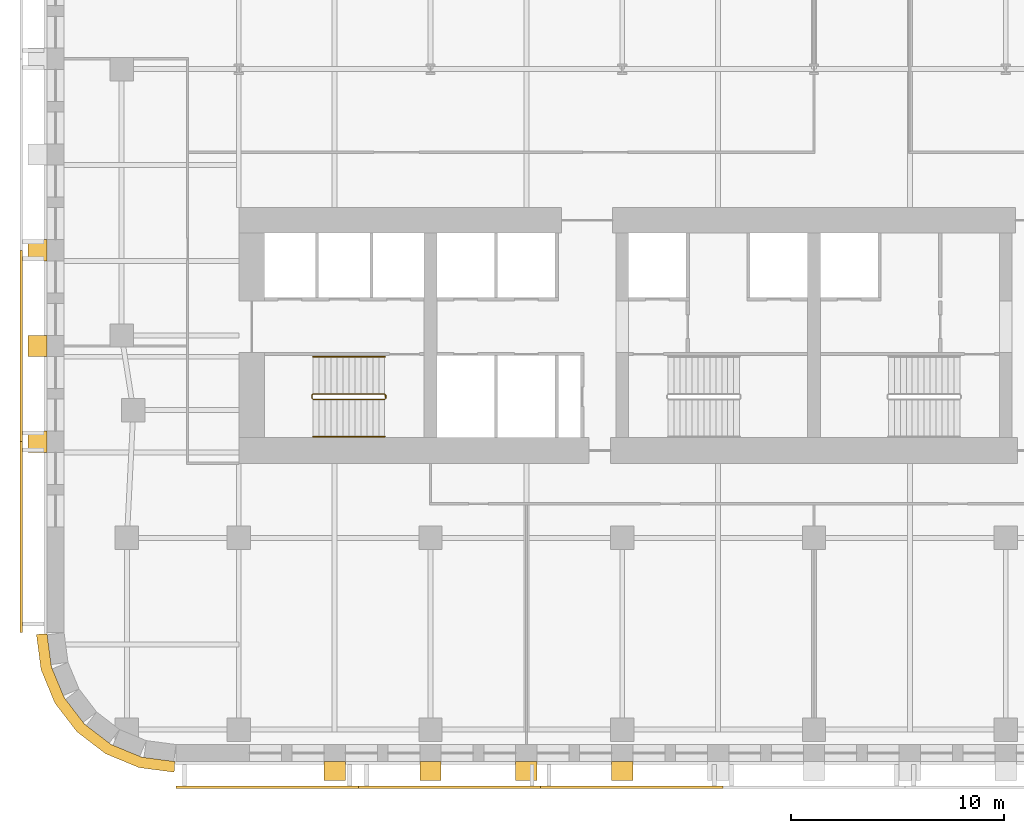
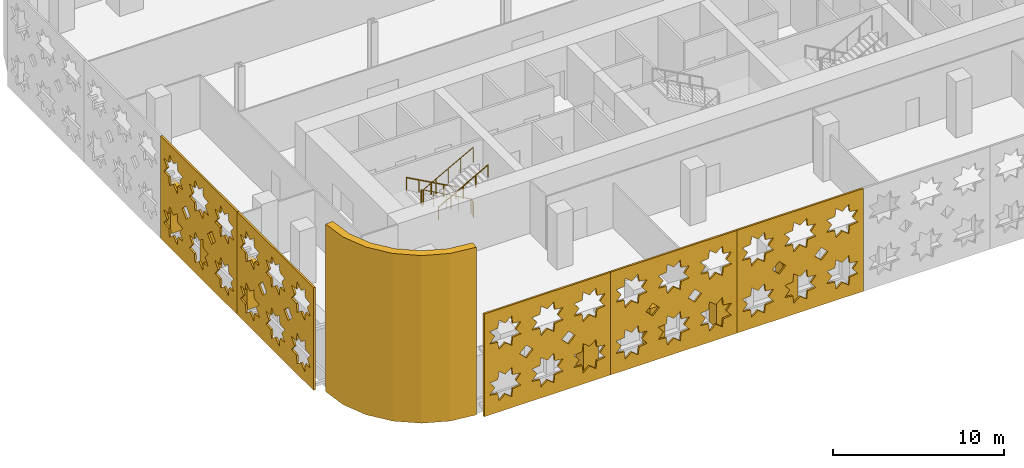
# One storey, part 11 of 15: 13 coverings, 3 railings.
"""IFC4 building model written with IfcOpenShell, lengths in metres."""

from ifc_helpers import new_model, si_unit, direction, frame, origin, origin_2d, place, context, subcontext, project, spatial, polyline, circle, outline, extrude, material, layer, layer_set, type_object, element, save


model = new_model("IFC4")

# Units and contexts
model_context = context("Model", 3, precision=1e-05, world=origin(), true_north=direction((0.0, 1.0)))
body_context = subcontext(model_context, "Body", "Model", "MODEL_VIEW")
ifc_project = project(units=[si_unit("LENGTHUNIT", "METRE"), si_unit("AREAUNIT", "SQUARE_METRE"), si_unit("VOLUMEUNIT", "CUBIC_METRE"), si_unit("PLANEANGLEUNIT", "RADIAN"), si_unit("MASSUNIT", "GRAM", prefix="KILO")], contexts=[model_context])

# Site, building, storey
site_placement = place(None, origin())
site = spatial("IfcSite", under=ifc_project, at=site_placement, CompositionType="ELEMENT")
building_placement = place(site_placement, origin())
building = spatial("IfcBuilding", under=site, at=building_placement, Name="Zellij Exchange Tower", CompositionType="ELEMENT")
storey_placement = place(building_placement, frame((0.0, 0.0, 76.5)))
storey = spatial("IfcBuildingStorey", under=building, at=storey_placement, Name="L15", CompositionType="ELEMENT", Elevation=76.5)

# Railings
ifc_material_1 = material(Name="Stainless steel", Category="steel")
railing_type_1 = type_object("IfcRailingType", Name="CORE-RG stair guard", PredefinedType="GUARDRAIL", material=ifc_material_1)
railing_1_placement = place(storey_placement, frame((-20.10009765625, -10.800048828125, 0.0)))
element("IfcRailing", 1, at=railing_1_placement, inside=storey, type_object=railing_type_1, Name="ST1 stair guard L15", PredefinedType="GUARDRAIL", context=body_context, shape_type="SweptSolid", body=[
    extrude(circle(Radius=0.02392578125, at=origin_2d()), frame((0.0, 0.0, 1.076171875), z_axis=(0.0, -1.0, 0.0), x_axis=(1.0, 0.0, 0.0)), (0.0, 0.0, 1.0), 0.14990234375),
    extrude(circle(Radius=0.02392578125, at=origin_2d()), frame((0.0, -0.14990234375, 1.076171875), z_axis=(-0.193691321961, 0.777613689637, 0.598164376644), x_axis=(-0.970351222016, -0.241699205484, 0.0)), (0.0, 0.0, 1.0), 0.257080078125),
    extrude(circle(Radius=0.02392578125, at=origin_2d()), frame((-0.0498046875, 0.050048828125, 1.22998046875), z_axis=(-0.876421534553, 0.0, 0.481544695509), x_axis=(0.0, -1.0, 0.0)), (0.0, 0.0, 1.0), 3.833984375),
    extrude(circle(Radius=0.02392578125, at=origin_2d()), frame((-3.409912109375, 0.050048828125, 3.076171875), z_axis=(-0.707106781187, -0.707106781187, 0.0), x_axis=(0.707106781187, -0.707106781187, 0.0)), (0.0, 0.0, 1.0), 0.07080078125),
    extrude(circle(Radius=0.02392578125, at=origin_2d()), frame((-3.4599609375, 0.0, 3.076171875), z_axis=(0.0, -1.0, 0.0), x_axis=(1.0, 0.0, 0.0)), (0.0, 0.0, 1.0), 0.14990234375),
    extrude(circle(Radius=0.02392578125, at=origin_2d()), frame((-3.4599609375, -0.14990234375, 3.076171875), z_axis=(0.295599637079, -0.295599637079, 0.908428152975), x_axis=(0.707106781187, 0.707106781187, 0.0)), (0.0, 0.0, 1.0), 0.16943359375),
    extrude(circle(Radius=0.02392578125, at=origin_2d()), frame((-3.409912109375, -0.199951171875, 3.22998046875), z_axis=(0.876421534553, 0.0, 0.481544695509), x_axis=(0.0, 1.0, 0.0)), (0.0, 0.0, 1.0), 3.833984375),
    extrude(circle(Radius=0.02099609375, at=origin_2d()), origin(), (0.0, 0.0, 1.0), 1.052001953125),
    extrude(circle(Radius=0.02099609375, at=origin_2d()), frame((0.0, -0.14990234375, 0.0)), (0.0, 0.0, 1.0), 1.052001953125),
    extrude(circle(Radius=0.02099609375, at=origin_2d()), frame((-0.0498046875, 0.050048828125, 0.15380859375)), (0.0, 0.0, 1.0), 1.052001953125),
    extrude(circle(Radius=0.02099609375, at=origin_2d()), frame((-0.889892578125, 0.050048828125, 0.615234375)), (0.0, 0.0, 1.0), 1.052001953125),
    extrude(circle(Radius=0.02099609375, at=origin_2d()), frame((-1.72998046875, 0.050048828125, 1.076904296875)), (0.0, 0.0, 1.0), 1.052001953125),
    extrude(circle(Radius=0.02099609375, at=origin_2d()), frame((-2.56982421875, 0.050048828125, 1.53857421875)), (0.0, 0.0, 1.0), 1.052001953125),
    extrude(circle(Radius=0.02099609375, at=origin_2d()), frame((-3.409912109375, 0.050048828125, 2.0)), (0.0, 0.0, 1.0), 1.052001953125),
    extrude(circle(Radius=0.02099609375, at=origin_2d()), frame((-3.4599609375, 0.0, 2.0)), (0.0, 0.0, 1.0), 1.052001953125),
    extrude(circle(Radius=0.02099609375, at=origin_2d()), frame((-3.4599609375, -0.14990234375, 2.0)), (0.0, 0.0, 1.0), 1.052001953125),
    extrude(circle(Radius=0.02099609375, at=origin_2d()), frame((-3.409912109375, -0.199951171875, 2.15380859375)), (0.0, 0.0, 1.0), 1.052001953125),
    extrude(circle(Radius=0.02099609375, at=origin_2d()), frame((-2.56982421875, -0.199951171875, 2.615234375)), (0.0, 0.0, 1.0), 1.052001953125),
    extrude(circle(Radius=0.02099609375, at=origin_2d()), frame((-1.72998046875, -0.199951171875, 3.076904296875)), (0.0, 0.0, 1.0), 1.052001953125),
    extrude(circle(Radius=0.02099609375, at=origin_2d()), frame((-0.889892578125, -0.199951171875, 3.53857421875)), (0.0, 0.0, 1.0), 1.052001953125),
    extrude(circle(Radius=0.02099609375, at=origin_2d()), frame((-0.0498046875, -0.199951171875, 4.0)), (0.0, 0.0, 1.0), 1.052001953125),
])
railing_type_2 = type_object("IfcRailingType", Name="CORE-RH stair handrail", PredefinedType="HANDRAIL", material=ifc_material_1)
railing_2_placement = place(storey_placement, frame((-20.14990234375, -9.0, 0.15380859375)))
element("IfcRailing", 2, at=railing_2_placement, inside=storey, type_object=railing_type_2, Name="ST1 stair handrail L15", PredefinedType="HANDRAIL", context=body_context, shape_type="SweptSolid", body=[
    extrude(circle(Radius=0.02392578125, at=origin_2d()), frame((0.0, 0.0, 0.8759765625), z_axis=(-0.876421534553, 0.0, 0.481544695509), x_axis=(0.0, -1.0, 0.0)), (0.0, 0.0, 1.0), 3.833984375),
    extrude(circle(Radius=0.02099609375, at=origin_2d()), origin(), (0.0, 0.0, 1.0), 0.851806640625),
    extrude(circle(Radius=0.02099609375, at=origin_2d()), frame((-0.840087890625, 0.0, 0.46142578125)), (0.0, 0.0, 1.0), 0.851806640625),
    extrude(circle(Radius=0.02099609375, at=origin_2d()), frame((-1.68017578125, 0.0, 0.923095703125)), (0.0, 0.0, 1.0), 0.851806640625),
    extrude(circle(Radius=0.02099609375, at=origin_2d()), frame((-2.52001953125, 0.0, 1.384765625)), (0.0, 0.0, 1.0), 0.851806640625),
    extrude(circle(Radius=0.02099609375, at=origin_2d()), frame((-3.360107421875, 0.0, 1.84619140625)), (0.0, 0.0, 1.0), 0.851806640625),
])
railing_3_placement = place(storey_placement, frame((-23.510009765625, -12.75, 2.15380859375)))
element("IfcRailing", 3, at=railing_3_placement, inside=storey, type_object=railing_type_2, Name="ST1 stair handrail L15", PredefinedType="HANDRAIL", context=body_context, shape_type="SweptSolid", body=[
    extrude(circle(Radius=0.02392578125, at=origin_2d()), frame((0.0, 0.0, 0.8759765625), z_axis=(0.876421534553, 0.0, 0.481544695509), x_axis=(0.0, 1.0, 0.0)), (0.0, 0.0, 1.0), 3.833984375),
    extrude(circle(Radius=0.02099609375, at=origin_2d()), origin(), (0.0, 0.0, 1.0), 0.851806640625),
    extrude(circle(Radius=0.02099609375, at=origin_2d()), frame((0.840087890625, 0.0, 0.46142578125)), (0.0, 0.0, 1.0), 0.851806640625),
    extrude(circle(Radius=0.02099609375, at=origin_2d()), frame((1.68017578125, 0.0, 0.923095703125)), (0.0, 0.0, 1.0), 0.851806640625),
    extrude(circle(Radius=0.02099609375, at=origin_2d()), frame((2.52001953125, 0.0, 1.384765625)), (0.0, 0.0, 1.0), 0.851806640625),
    extrude(circle(Radius=0.02099609375, at=origin_2d()), frame((3.360107421875, 0.0, 1.84619140625)), (0.0, 0.0, 1.0), 0.851806640625),
])

# Coverings
ifc_material_2 = material(Name="Limestone cladding", Category="masonry")
ifc_layer_1 = layer(ifc_material_2, 0.5)
ifc_layer_set_1 = layer_set([ifc_layer_1], Name="Limestone cladding")
covering_type_1 = type_object("IfcCoveringType", Name="ENV-CV12 Stone corner pier 500", PredefinedType="CLADDING", material=ifc_layer_set_1)
covering_1_placement = place(storey_placement, origin())
element("IfcCovering", 4, at=covering_1_placement, inside=storey, type_object=covering_type_1, Name="Stone corner pier", PredefinedType="CLADDING", context=body_context, shape_type="SweptSolid", body=[
    extrude(outline(polyline([(-36.0, -22.0), (-35.795654296875, -23.552978515625), (-35.1962890625, -25.0), (-34.24267578125, -26.24267578125), (-33.0, -27.1962890625), (-31.552978515625, -27.795654296875), (-30.0, -28.0), (-30.03271484375, -28.5), (-31.683349609375, -28.28271484375), (-33.252197265625, -27.6328125), (-34.59912109375, -26.59912109375), (-35.6328125, -25.252197265625), (-36.28271484375, -23.683349609375), (-36.5, -22.03271484375), (-36.0, -22.0)])), origin(), (0.0, 0.0, 1.0), 12.0),
])
covering_type_2 = type_object("IfcCoveringType", Name="ENV-CV2 Stone pier 1000x900", PredefinedType="CLADDING", material=ifc_material_2)
covering_2_placement = place(storey_placement, frame((0.0, 0.0, 0.800048828125)))
element("IfcCovering", 5, at=covering_2_placement, inside=storey, type_object=covering_type_2, Name="Stone pier", PredefinedType="CLADDING", context=body_context, shape_type="SweptSolid", body=[
    extrude(outline(polyline([(-23.0, -28.0), (-22.0, -28.0), (-22.0, -28.89990234375), (-23.0, -28.89990234375), (-23.0, -28.0)])), origin(), (0.0, 0.0, 1.0), 3.0),
])
covering_3_placement = place(storey_placement, frame((0.0, 0.0, 0.800048828125)))
element("IfcCovering", 6, at=covering_3_placement, inside=storey, type_object=covering_type_2, Name="Stone pier", PredefinedType="CLADDING", context=body_context, shape_type="SweptSolid", body=[
    extrude(outline(polyline([(-18.5, -28.0), (-17.5, -28.0), (-17.5, -28.89990234375), (-18.5, -28.89990234375), (-18.5, -28.0)])), origin(), (0.0, 0.0, 1.0), 3.0),
])
covering_4_placement = place(storey_placement, frame((0.0, 0.0, 0.800048828125)))
element("IfcCovering", 7, at=covering_4_placement, inside=storey, type_object=covering_type_2, Name="Stone pier", PredefinedType="CLADDING", context=body_context, shape_type="SweptSolid", body=[
    extrude(outline(polyline([(-14.0, -28.0), (-13.0, -28.0), (-13.0, -28.89990234375), (-14.0, -28.89990234375), (-14.0, -28.0)])), origin(), (0.0, 0.0, 1.0), 3.0),
])
covering_5_placement = place(storey_placement, frame((0.0, 0.0, 0.800048828125)))
element("IfcCovering", 8, at=covering_5_placement, inside=storey, type_object=covering_type_2, Name="Stone pier", PredefinedType="CLADDING", context=body_context, shape_type="SweptSolid", body=[
    extrude(outline(polyline([(-9.5, -28.0), (-8.5, -28.0), (-8.5, -28.89990234375), (-9.5, -28.89990234375), (-9.5, -28.0)])), origin(), (0.0, 0.0, 1.0), 3.0),
])
covering_6_placement = place(storey_placement, frame((0.0, 0.0, 0.800048828125)))
element("IfcCovering", 9, at=covering_6_placement, inside=storey, type_object=covering_type_2, Name="Stone pier", PredefinedType="CLADDING", context=body_context, shape_type="SweptSolid", body=[
    extrude(outline(polyline([(-36.0, -3.5), (-36.0, -4.5), (-36.89990234375, -4.5), (-36.89990234375, -3.5), (-36.0, -3.5)])), origin(), (0.0, 0.0, 1.0), 3.0),
])
covering_7_placement = place(storey_placement, frame((0.0, 0.0, 0.800048828125)))
element("IfcCovering", 10, at=covering_7_placement, inside=storey, type_object=covering_type_2, Name="Stone pier", PredefinedType="CLADDING", context=body_context, shape_type="SweptSolid", body=[
    extrude(outline(polyline([(-36.0, -7.993408203125), (-36.0, -8.993408203125), (-36.89990234375, -8.993408203125), (-36.89990234375, -7.993408203125), (-36.0, -7.993408203125)])), origin(), (0.0, 0.0, 1.0), 3.0),
])
covering_8_placement = place(storey_placement, frame((0.0, 0.0, 0.800048828125)))
element("IfcCovering", 11, at=covering_8_placement, inside=storey, type_object=covering_type_2, Name="Stone pier", PredefinedType="CLADDING", context=body_context, shape_type="SweptSolid", body=[
    extrude(outline(polyline([(-36.0, -12.48681640625), (-36.0, -13.48681640625), (-36.89990234375, -13.48681640625), (-36.89990234375, -12.48681640625), (-36.0, -12.48681640625)])), origin(), (0.0, 0.0, 1.0), 3.0),
])
ifc_material_3 = material(Name="Limestone screen", Category="masonry")
ifc_layer_2 = layer(ifc_material_3, 0.1201171875)
ifc_layer_set_2 = layer_set([ifc_layer_2], Name="Limestone screen")
covering_type_3 = type_object("IfcCoveringType", Name="ENV-SC1 Pierced stone screen 120", PredefinedType="USERDEFINED", material=ifc_layer_set_2)
covering_9_placement = place(storey_placement, frame((-37.2099609375, -4.0, 0.300048828125), z_axis=(0.0, 0.0, 1.0), x_axis=(0.0, -1.0, 0.0)))
element("IfcCovering", 12, at=covering_9_placement, inside=storey, type_object=covering_type_3, Name="Pierced stone screen", ObjectType="SCREEN", PredefinedType="USERDEFINED", context=body_context, shape_type="SweptSolid", body=[
    extrude(outline(polyline([(0.0, 0.0), (8.973876953125, 0.0), (8.973876953125, 7.35009765625), (0.0, 7.35009765625), (0.0, 0.0)]), holes=[polyline([(2.60107421875, 2.29541015625), (2.020263671875, 2.362060546875), (1.95361328125, 2.94287109375), (1.49560546875, 2.579345703125), (1.03759765625, 2.94287109375), (0.97119140625, 2.362060546875), (0.39013671875, 2.29541015625), (0.75390625, 1.83740234375), (0.39013671875, 1.379638671875), (0.97119140625, 1.31298828125), (1.03759765625, 0.732177734375), (1.49560546875, 1.095703125), (1.95361328125, 0.732177734375), (2.020263671875, 1.31298828125), (2.60107421875, 1.379638671875), (2.237548828125, 1.83740234375), (2.60107421875, 2.29541015625)]), polyline([(2.60107421875, 5.970458984375), (2.020263671875, 6.037109375), (1.95361328125, 6.617919921875), (1.49560546875, 6.25439453125), (1.03759765625, 6.617919921875), (0.97119140625, 6.037109375), (0.39013671875, 5.970458984375), (0.75390625, 5.512451171875), (0.39013671875, 5.0546875), (0.97119140625, 4.98779296875), (1.03759765625, 4.406982421875), (1.49560546875, 4.770751953125), (1.95361328125, 4.406982421875), (2.020263671875, 4.98779296875), (2.60107421875, 5.0546875), (2.237548828125, 5.512451171875), (2.60107421875, 5.970458984375)]), polyline([(5.59228515625, 2.29541015625), (5.011474609375, 2.362060546875), (4.94482421875, 2.94287109375), (4.48681640625, 2.579345703125), (4.029052734375, 2.94287109375), (3.96240234375, 2.362060546875), (3.381591796875, 2.29541015625), (3.7451171875, 1.83740234375), (3.381591796875, 1.379638671875), (3.96240234375, 1.31298828125), (4.029052734375, 0.732177734375), (4.48681640625, 1.095703125), (4.94482421875, 0.732177734375), (5.011474609375, 1.31298828125), (5.59228515625, 1.379638671875), (5.228759765625, 1.83740234375), (5.59228515625, 2.29541015625)]), polyline([(5.59228515625, 5.970458984375), (5.011474609375, 6.037109375), (4.94482421875, 6.617919921875), (4.48681640625, 6.25439453125), (4.029052734375, 6.617919921875), (3.96240234375, 6.037109375), (3.381591796875, 5.970458984375), (3.7451171875, 5.512451171875), (3.381591796875, 5.0546875), (3.96240234375, 4.98779296875), (4.029052734375, 4.406982421875), (4.48681640625, 4.770751953125), (4.94482421875, 4.406982421875), (5.011474609375, 4.98779296875), (5.59228515625, 5.0546875), (5.228759765625, 5.512451171875), (5.59228515625, 5.970458984375)]), polyline([(8.58349609375, 2.29541015625), (8.002685546875, 2.362060546875), (7.93603515625, 2.94287109375), (7.478271484375, 2.579345703125), (7.020263671875, 2.94287109375), (6.95361328125, 2.362060546875), (6.372802734375, 2.29541015625), (6.736328125, 1.83740234375), (6.372802734375, 1.379638671875), (6.95361328125, 1.31298828125), (7.020263671875, 0.732177734375), (7.478271484375, 1.095703125), (7.93603515625, 0.732177734375), (8.002685546875, 1.31298828125), (8.58349609375, 1.379638671875), (8.219970703125, 1.83740234375), (8.58349609375, 2.29541015625)]), polyline([(8.58349609375, 5.970458984375), (8.002685546875, 6.037109375), (7.93603515625, 6.617919921875), (7.478271484375, 6.25439453125), (7.020263671875, 6.617919921875), (6.95361328125, 6.037109375), (6.372802734375, 5.970458984375), (6.736328125, 5.512451171875), (6.372802734375, 5.0546875), (6.95361328125, 4.98779296875), (7.020263671875, 4.406982421875), (7.478271484375, 4.770751953125), (7.93603515625, 4.406982421875), (8.002685546875, 4.98779296875), (8.58349609375, 5.0546875), (8.219970703125, 5.512451171875), (8.58349609375, 5.970458984375)]), polyline([(3.469970703125, 3.675048828125), (2.9912109375, 4.153564453125), (2.5126953125, 3.675048828125), (2.9912109375, 3.1962890625), (3.469970703125, 3.675048828125)]), polyline([(6.461181640625, 3.675048828125), (5.982421875, 4.153564453125), (5.50390625, 3.675048828125), (5.982421875, 3.1962890625), (6.461181640625, 3.675048828125)])]), frame((0.0, 0.06005859375, 0.0), z_axis=(0.0, -1.0, 0.0), x_axis=(1.0, 0.0, 0.0)), (0.0, 0.0, 1.0), 0.1201171875),
])
covering_10_placement = place(storey_placement, frame((-37.2099609375, -12.973876953125, 0.300048828125), z_axis=(0.0, 0.0, 1.0), x_axis=(0.0, -1.0, 0.0)))
element("IfcCovering", 13, at=covering_10_placement, inside=storey, type_object=covering_type_3, Name="Pierced stone screen", ObjectType="SCREEN", PredefinedType="USERDEFINED", context=body_context, shape_type="SweptSolid", body=[
    extrude(outline(polyline([(0.0, 0.0), (8.973876953125, 0.0), (8.973876953125, 7.35009765625), (0.0, 7.35009765625), (0.0, 0.0)]), holes=[polyline([(2.60107421875, 2.29541015625), (2.020263671875, 2.362060546875), (1.95361328125, 2.94287109375), (1.49560546875, 2.579345703125), (1.03759765625, 2.94287109375), (0.97119140625, 2.362060546875), (0.39013671875, 2.29541015625), (0.75390625, 1.83740234375), (0.39013671875, 1.379638671875), (0.97119140625, 1.31298828125), (1.03759765625, 0.732177734375), (1.49560546875, 1.095703125), (1.95361328125, 0.732177734375), (2.020263671875, 1.31298828125), (2.60107421875, 1.379638671875), (2.237548828125, 1.83740234375), (2.60107421875, 2.29541015625)]), polyline([(2.60107421875, 5.970458984375), (2.020263671875, 6.037109375), (1.95361328125, 6.617919921875), (1.49560546875, 6.25439453125), (1.03759765625, 6.617919921875), (0.97119140625, 6.037109375), (0.39013671875, 5.970458984375), (0.75390625, 5.512451171875), (0.39013671875, 5.0546875), (0.97119140625, 4.98779296875), (1.03759765625, 4.406982421875), (1.49560546875, 4.770751953125), (1.95361328125, 4.406982421875), (2.020263671875, 4.98779296875), (2.60107421875, 5.0546875), (2.237548828125, 5.512451171875), (2.60107421875, 5.970458984375)]), polyline([(5.59228515625, 2.29541015625), (5.011474609375, 2.362060546875), (4.94482421875, 2.94287109375), (4.48681640625, 2.579345703125), (4.029052734375, 2.94287109375), (3.96240234375, 2.362060546875), (3.381591796875, 2.29541015625), (3.7451171875, 1.83740234375), (3.381591796875, 1.379638671875), (3.96240234375, 1.31298828125), (4.029052734375, 0.732177734375), (4.48681640625, 1.095703125), (4.94482421875, 0.732177734375), (5.011474609375, 1.31298828125), (5.59228515625, 1.379638671875), (5.228759765625, 1.83740234375), (5.59228515625, 2.29541015625)]), polyline([(5.59228515625, 5.970458984375), (5.011474609375, 6.037109375), (4.94482421875, 6.617919921875), (4.48681640625, 6.25439453125), (4.029052734375, 6.617919921875), (3.96240234375, 6.037109375), (3.381591796875, 5.970458984375), (3.7451171875, 5.512451171875), (3.381591796875, 5.0546875), (3.96240234375, 4.98779296875), (4.029052734375, 4.406982421875), (4.48681640625, 4.770751953125), (4.94482421875, 4.406982421875), (5.011474609375, 4.98779296875), (5.59228515625, 5.0546875), (5.228759765625, 5.512451171875), (5.59228515625, 5.970458984375)]), polyline([(8.58349609375, 2.29541015625), (8.002685546875, 2.362060546875), (7.93603515625, 2.94287109375), (7.478271484375, 2.579345703125), (7.020263671875, 2.94287109375), (6.95361328125, 2.362060546875), (6.372802734375, 2.29541015625), (6.736328125, 1.83740234375), (6.372802734375, 1.379638671875), (6.95361328125, 1.31298828125), (7.020263671875, 0.732177734375), (7.478271484375, 1.095703125), (7.93603515625, 0.732177734375), (8.002685546875, 1.31298828125), (8.58349609375, 1.379638671875), (8.219970703125, 1.83740234375), (8.58349609375, 2.29541015625)]), polyline([(8.58349609375, 5.970458984375), (8.002685546875, 6.037109375), (7.93603515625, 6.617919921875), (7.478271484375, 6.25439453125), (7.020263671875, 6.617919921875), (6.95361328125, 6.037109375), (6.372802734375, 5.970458984375), (6.736328125, 5.512451171875), (6.372802734375, 5.0546875), (6.95361328125, 4.98779296875), (7.020263671875, 4.406982421875), (7.478271484375, 4.770751953125), (7.93603515625, 4.406982421875), (8.002685546875, 4.98779296875), (8.58349609375, 5.0546875), (8.219970703125, 5.512451171875), (8.58349609375, 5.970458984375)]), polyline([(3.469970703125, 3.675048828125), (2.9912109375, 4.153564453125), (2.5126953125, 3.675048828125), (2.9912109375, 3.1962890625), (3.469970703125, 3.675048828125)]), polyline([(6.461181640625, 3.675048828125), (5.982421875, 4.153564453125), (5.50390625, 3.675048828125), (5.982421875, 3.1962890625), (6.461181640625, 3.675048828125)])]), frame((0.0, 0.06005859375, 0.0), z_axis=(0.0, -1.0, 0.0), x_axis=(1.0, 0.0, 0.0)), (0.0, 0.0, 1.0), 0.1201171875),
])
covering_11_placement = place(storey_placement, frame((-29.947509765625, -29.2099609375, 0.300048828125), z_axis=(0.0, 0.0, 1.0), x_axis=(1.0, 0.0, 0.0)))
element("IfcCovering", 14, at=covering_11_placement, inside=storey, type_object=covering_type_3, Name="Pierced stone screen", ObjectType="SCREEN", PredefinedType="USERDEFINED", context=body_context, shape_type="SweptSolid", body=[
    extrude(outline(polyline([(0.0, 0.0), (8.556396484375, 0.0), (8.556396484375, 7.35009765625), (0.0, 7.35009765625), (0.0, 0.0)]), holes=[polyline([(2.47998046875, 2.274169921875), (1.92626953125, 2.337646484375), (1.86279296875, 2.8916015625), (1.426025390625, 2.544921875), (0.989501953125, 2.8916015625), (0.92578125, 2.337646484375), (0.3720703125, 2.274169921875), (0.71875, 1.83740234375), (0.3720703125, 1.40087890625), (0.92578125, 1.33740234375), (0.989501953125, 0.783447265625), (1.426025390625, 1.130126953125), (1.86279296875, 0.783447265625), (1.92626953125, 1.33740234375), (2.47998046875, 1.40087890625), (2.13330078125, 1.83740234375), (2.47998046875, 2.274169921875)]), polyline([(2.47998046875, 5.94921875), (1.92626953125, 6.0126953125), (1.86279296875, 6.56640625), (1.426025390625, 6.2197265625), (0.989501953125, 6.56640625), (0.92578125, 6.0126953125), (0.3720703125, 5.94921875), (0.71875, 5.512451171875), (0.3720703125, 5.075927734375), (0.92578125, 5.01220703125), (0.989501953125, 4.45849609375), (1.426025390625, 4.80517578125), (1.86279296875, 4.45849609375), (1.92626953125, 5.01220703125), (2.47998046875, 5.075927734375), (2.13330078125, 5.512451171875), (2.47998046875, 5.94921875)]), polyline([(5.332275390625, 2.274169921875), (4.7783203125, 2.337646484375), (4.71484375, 2.8916015625), (4.2783203125, 2.544921875), (3.841552734375, 2.8916015625), (3.778076171875, 2.337646484375), (3.22412109375, 2.274169921875), (3.57080078125, 1.83740234375), (3.22412109375, 1.40087890625), (3.778076171875, 1.33740234375), (3.841552734375, 0.783447265625), (4.2783203125, 1.130126953125), (4.71484375, 0.783447265625), (4.7783203125, 1.33740234375), (5.332275390625, 1.40087890625), (4.985595703125, 1.83740234375), (5.332275390625, 2.274169921875)]), polyline([(5.332275390625, 5.94921875), (4.7783203125, 6.0126953125), (4.71484375, 6.56640625), (4.2783203125, 6.2197265625), (3.841552734375, 6.56640625), (3.778076171875, 6.0126953125), (3.22412109375, 5.94921875), (3.57080078125, 5.512451171875), (3.22412109375, 5.075927734375), (3.778076171875, 5.01220703125), (3.841552734375, 4.45849609375), (4.2783203125, 4.80517578125), (4.71484375, 4.45849609375), (4.7783203125, 5.01220703125), (5.332275390625, 5.075927734375), (4.985595703125, 5.512451171875), (5.332275390625, 5.94921875)]), polyline([(8.184326171875, 2.274169921875), (7.630615234375, 2.337646484375), (7.56689453125, 2.8916015625), (7.13037109375, 2.544921875), (6.69384765625, 2.8916015625), (6.630126953125, 2.337646484375), (6.076416015625, 2.274169921875), (6.423095703125, 1.83740234375), (6.076416015625, 1.40087890625), (6.630126953125, 1.33740234375), (6.69384765625, 0.783447265625), (7.13037109375, 1.130126953125), (7.56689453125, 0.783447265625), (7.630615234375, 1.33740234375), (8.184326171875, 1.40087890625), (7.837646484375, 1.83740234375), (8.184326171875, 2.274169921875)]), polyline([(8.184326171875, 5.94921875), (7.630615234375, 6.0126953125), (7.56689453125, 6.56640625), (7.13037109375, 6.2197265625), (6.69384765625, 6.56640625), (6.630126953125, 6.0126953125), (6.076416015625, 5.94921875), (6.423095703125, 5.512451171875), (6.076416015625, 5.075927734375), (6.630126953125, 5.01220703125), (6.69384765625, 4.45849609375), (7.13037109375, 4.80517578125), (7.56689453125, 4.45849609375), (7.630615234375, 5.01220703125), (8.184326171875, 5.075927734375), (7.837646484375, 5.512451171875), (8.184326171875, 5.94921875)]), polyline([(3.30859375, 3.675048828125), (2.852294921875, 4.13134765625), (2.395751953125, 3.675048828125), (2.852294921875, 3.21875), (3.30859375, 3.675048828125)]), polyline([(6.16064453125, 3.675048828125), (5.704345703125, 4.13134765625), (5.248046875, 3.675048828125), (5.704345703125, 3.21875), (6.16064453125, 3.675048828125)])]), frame((0.0, 0.06005859375, 0.0), z_axis=(0.0, -1.0, 0.0), x_axis=(1.0, 0.0, 0.0)), (0.0, 0.0, 1.0), 0.1201171875),
])
covering_12_placement = place(storey_placement, frame((-21.39111328125, -29.2099609375, 0.300048828125), z_axis=(0.0, 0.0, 1.0), x_axis=(1.0, 0.0, 0.0)))
element("IfcCovering", 15, at=covering_12_placement, inside=storey, type_object=covering_type_3, Name="Pierced stone screen", ObjectType="SCREEN", PredefinedType="USERDEFINED", context=body_context, shape_type="SweptSolid", body=[
    extrude(outline(polyline([(0.0, 0.0), (8.556396484375, 0.0), (8.556396484375, 7.35009765625), (0.0, 7.35009765625), (0.0, 0.0)]), holes=[polyline([(2.47998046875, 2.274169921875), (1.92626953125, 2.337646484375), (1.86279296875, 2.8916015625), (1.426025390625, 2.544921875), (0.989501953125, 2.8916015625), (0.92578125, 2.337646484375), (0.3720703125, 2.274169921875), (0.71875, 1.83740234375), (0.3720703125, 1.40087890625), (0.92578125, 1.33740234375), (0.989501953125, 0.783447265625), (1.426025390625, 1.130126953125), (1.86279296875, 0.783447265625), (1.92626953125, 1.33740234375), (2.47998046875, 1.40087890625), (2.13330078125, 1.83740234375), (2.47998046875, 2.274169921875)]), polyline([(2.47998046875, 5.94921875), (1.92626953125, 6.0126953125), (1.86279296875, 6.56640625), (1.426025390625, 6.2197265625), (0.989501953125, 6.56640625), (0.92578125, 6.0126953125), (0.3720703125, 5.94921875), (0.71875, 5.512451171875), (0.3720703125, 5.075927734375), (0.92578125, 5.01220703125), (0.989501953125, 4.45849609375), (1.426025390625, 4.80517578125), (1.86279296875, 4.45849609375), (1.92626953125, 5.01220703125), (2.47998046875, 5.075927734375), (2.13330078125, 5.512451171875), (2.47998046875, 5.94921875)]), polyline([(5.332275390625, 2.274169921875), (4.7783203125, 2.337646484375), (4.71484375, 2.8916015625), (4.2783203125, 2.544921875), (3.841552734375, 2.8916015625), (3.778076171875, 2.337646484375), (3.22412109375, 2.274169921875), (3.57080078125, 1.83740234375), (3.22412109375, 1.40087890625), (3.778076171875, 1.33740234375), (3.841552734375, 0.783447265625), (4.2783203125, 1.130126953125), (4.71484375, 0.783447265625), (4.7783203125, 1.33740234375), (5.332275390625, 1.40087890625), (4.985595703125, 1.83740234375), (5.332275390625, 2.274169921875)]), polyline([(5.332275390625, 5.94921875), (4.7783203125, 6.0126953125), (4.71484375, 6.56640625), (4.2783203125, 6.2197265625), (3.841552734375, 6.56640625), (3.778076171875, 6.0126953125), (3.22412109375, 5.94921875), (3.57080078125, 5.512451171875), (3.22412109375, 5.075927734375), (3.778076171875, 5.01220703125), (3.841552734375, 4.45849609375), (4.2783203125, 4.80517578125), (4.71484375, 4.45849609375), (4.7783203125, 5.01220703125), (5.332275390625, 5.075927734375), (4.985595703125, 5.512451171875), (5.332275390625, 5.94921875)]), polyline([(8.184326171875, 2.274169921875), (7.630615234375, 2.337646484375), (7.56689453125, 2.8916015625), (7.13037109375, 2.544921875), (6.69384765625, 2.8916015625), (6.630126953125, 2.337646484375), (6.076416015625, 2.274169921875), (6.423095703125, 1.83740234375), (6.076416015625, 1.40087890625), (6.630126953125, 1.33740234375), (6.69384765625, 0.783447265625), (7.13037109375, 1.130126953125), (7.56689453125, 0.783447265625), (7.630615234375, 1.33740234375), (8.184326171875, 1.40087890625), (7.837646484375, 1.83740234375), (8.184326171875, 2.274169921875)]), polyline([(8.184326171875, 5.94921875), (7.630615234375, 6.0126953125), (7.56689453125, 6.56640625), (7.13037109375, 6.2197265625), (6.69384765625, 6.56640625), (6.630126953125, 6.0126953125), (6.076416015625, 5.94921875), (6.423095703125, 5.512451171875), (6.076416015625, 5.075927734375), (6.630126953125, 5.01220703125), (6.69384765625, 4.45849609375), (7.13037109375, 4.80517578125), (7.56689453125, 4.45849609375), (7.630615234375, 5.01220703125), (8.184326171875, 5.075927734375), (7.837646484375, 5.512451171875), (8.184326171875, 5.94921875)]), polyline([(3.30859375, 3.675048828125), (2.852294921875, 4.13134765625), (2.395751953125, 3.675048828125), (2.852294921875, 3.21875), (3.30859375, 3.675048828125)]), polyline([(6.16064453125, 3.675048828125), (5.704345703125, 4.13134765625), (5.248046875, 3.675048828125), (5.704345703125, 3.21875), (6.16064453125, 3.675048828125)])]), frame((0.0, 0.06005859375, 0.0), z_axis=(0.0, -1.0, 0.0), x_axis=(1.0, 0.0, 0.0)), (0.0, 0.0, 1.0), 0.1201171875),
])
covering_13_placement = place(storey_placement, frame((-12.834716796875, -29.2099609375, 0.300048828125), z_axis=(0.0, 0.0, 1.0), x_axis=(1.0, 0.0, 0.0)))
element("IfcCovering", 16, at=covering_13_placement, inside=storey, type_object=covering_type_3, Name="Pierced stone screen", ObjectType="SCREEN", PredefinedType="USERDEFINED", context=body_context, shape_type="SweptSolid", body=[
    extrude(outline(polyline([(0.0, 0.0), (8.556396484375, 0.0), (8.556396484375, 7.35009765625), (0.0, 7.35009765625), (0.0, 0.0)]), holes=[polyline([(2.47998046875, 2.274169921875), (1.92626953125, 2.337646484375), (1.86279296875, 2.8916015625), (1.426025390625, 2.544921875), (0.989501953125, 2.8916015625), (0.92578125, 2.337646484375), (0.3720703125, 2.274169921875), (0.71875, 1.83740234375), (0.3720703125, 1.40087890625), (0.92578125, 1.33740234375), (0.989501953125, 0.783447265625), (1.426025390625, 1.130126953125), (1.86279296875, 0.783447265625), (1.92626953125, 1.33740234375), (2.47998046875, 1.40087890625), (2.13330078125, 1.83740234375), (2.47998046875, 2.274169921875)]), polyline([(2.47998046875, 5.94921875), (1.92626953125, 6.0126953125), (1.86279296875, 6.56640625), (1.426025390625, 6.2197265625), (0.989501953125, 6.56640625), (0.92578125, 6.0126953125), (0.3720703125, 5.94921875), (0.71875, 5.512451171875), (0.3720703125, 5.075927734375), (0.92578125, 5.01220703125), (0.989501953125, 4.45849609375), (1.426025390625, 4.80517578125), (1.86279296875, 4.45849609375), (1.92626953125, 5.01220703125), (2.47998046875, 5.075927734375), (2.13330078125, 5.512451171875), (2.47998046875, 5.94921875)]), polyline([(5.332275390625, 2.274169921875), (4.7783203125, 2.337646484375), (4.71484375, 2.8916015625), (4.2783203125, 2.544921875), (3.841552734375, 2.8916015625), (3.778076171875, 2.337646484375), (3.22412109375, 2.274169921875), (3.57080078125, 1.83740234375), (3.22412109375, 1.40087890625), (3.778076171875, 1.33740234375), (3.841552734375, 0.783447265625), (4.2783203125, 1.130126953125), (4.71484375, 0.783447265625), (4.7783203125, 1.33740234375), (5.332275390625, 1.40087890625), (4.985595703125, 1.83740234375), (5.332275390625, 2.274169921875)]), polyline([(5.332275390625, 5.94921875), (4.7783203125, 6.0126953125), (4.71484375, 6.56640625), (4.2783203125, 6.2197265625), (3.841552734375, 6.56640625), (3.778076171875, 6.0126953125), (3.22412109375, 5.94921875), (3.57080078125, 5.512451171875), (3.22412109375, 5.075927734375), (3.778076171875, 5.01220703125), (3.841552734375, 4.45849609375), (4.2783203125, 4.80517578125), (4.71484375, 4.45849609375), (4.7783203125, 5.01220703125), (5.332275390625, 5.075927734375), (4.985595703125, 5.512451171875), (5.332275390625, 5.94921875)]), polyline([(8.184326171875, 2.274169921875), (7.630615234375, 2.337646484375), (7.56689453125, 2.8916015625), (7.13037109375, 2.544921875), (6.69384765625, 2.8916015625), (6.630126953125, 2.337646484375), (6.076416015625, 2.274169921875), (6.423095703125, 1.83740234375), (6.076416015625, 1.40087890625), (6.630126953125, 1.33740234375), (6.69384765625, 0.783447265625), (7.13037109375, 1.130126953125), (7.56689453125, 0.783447265625), (7.630615234375, 1.33740234375), (8.184326171875, 1.40087890625), (7.837646484375, 1.83740234375), (8.184326171875, 2.274169921875)]), polyline([(8.184326171875, 5.94921875), (7.630615234375, 6.0126953125), (7.56689453125, 6.56640625), (7.13037109375, 6.2197265625), (6.69384765625, 6.56640625), (6.630126953125, 6.0126953125), (6.076416015625, 5.94921875), (6.423095703125, 5.512451171875), (6.076416015625, 5.075927734375), (6.630126953125, 5.01220703125), (6.69384765625, 4.45849609375), (7.13037109375, 4.80517578125), (7.56689453125, 4.45849609375), (7.630615234375, 5.01220703125), (8.184326171875, 5.075927734375), (7.837646484375, 5.512451171875), (8.184326171875, 5.94921875)]), polyline([(3.30859375, 3.675048828125), (2.852294921875, 4.13134765625), (2.395751953125, 3.675048828125), (2.852294921875, 3.21875), (3.30859375, 3.675048828125)]), polyline([(6.16064453125, 3.675048828125), (5.704345703125, 4.13134765625), (5.248046875, 3.675048828125), (5.704345703125, 3.21875), (6.16064453125, 3.675048828125)])]), frame((0.0, 0.06005859375, 0.0), z_axis=(0.0, -1.0, 0.0), x_axis=(1.0, 0.0, 0.0)), (0.0, 0.0, 1.0), 0.1201171875),
])

save(model, "model.ifc")
